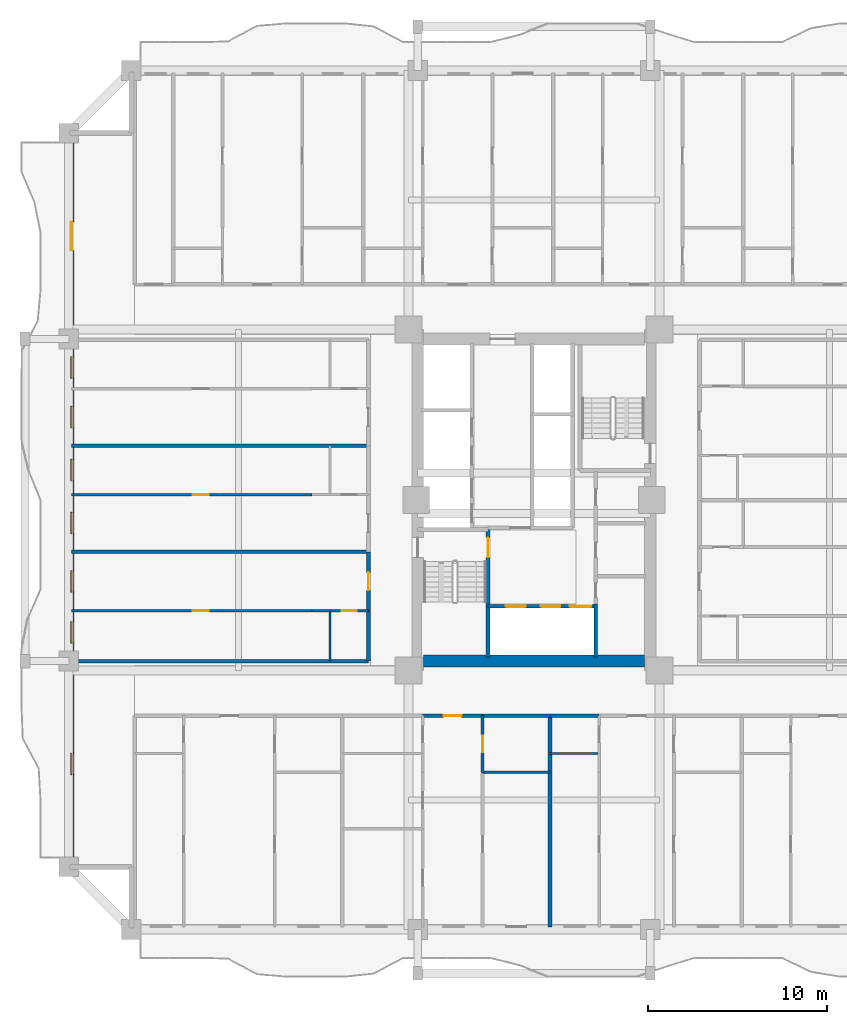
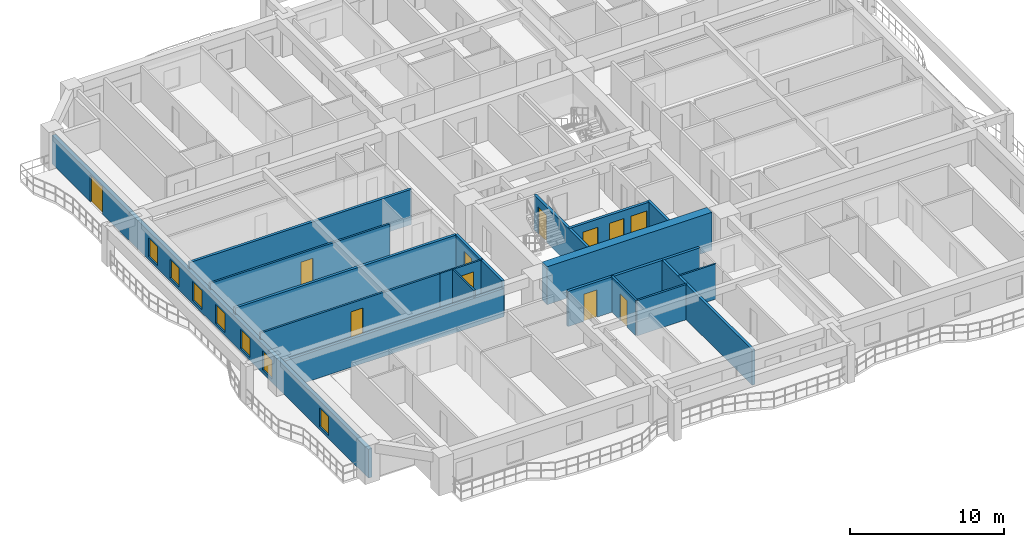
# One storey, part 3 of 16: 22 walls, 11 doors, 7 windows, 18 openings.
"""IFC4 building model written with IfcOpenShell, lengths in metres."""

from ifc_helpers import new_model, si_unit, direction, frame, frame_2d, origin, place, context, subcontext, project, spatial, rectangle, extrude, source, transform, mapped, material, layer, layer_set, type_object, element, fill, save


model = new_model("IFC4")

# Units and contexts
model_context = context("Model", 3, precision=1e-05, world=origin(), true_north=direction((0.0, 1.0)))
body_context = subcontext(model_context, "Body", "Model", "MODEL_VIEW")
ifc_project = project(units=[si_unit("LENGTHUNIT", "METRE"), si_unit("AREAUNIT", "SQUARE_METRE"), si_unit("VOLUMEUNIT", "CUBIC_METRE"), si_unit("PLANEANGLEUNIT", "RADIAN"), si_unit("MASSUNIT", "GRAM", prefix="KILO")], contexts=[model_context])

# Site, building, storey
site_placement = place(None, origin())
site = spatial("IfcSite", under=ifc_project, at=site_placement, CompositionType="ELEMENT")
building_placement = place(site_placement, origin())
building = spatial("IfcBuilding", under=site, at=building_placement, Name="Saelheon Loggia Tower", CompositionType="ELEMENT")
storey_placement = place(building_placement, frame((0.0, 0.0, 31.39990234375)))
storey = spatial("IfcBuildingStorey", under=building, at=storey_placement, Name="L09", CompositionType="ELEMENT", Elevation=31.39990234375)

# Wall
ifc_material_1 = material(Name="Concrete C60/75", Category="concrete")
ifc_layer_1 = layer(ifc_material_1, 0.64990234375)
ifc_layer_set_1 = layer_set([ifc_layer_1], Name="Concrete C60/75")
wall_type_1 = type_object("IfcWallType", Name="Wall_CoreShear_650", PredefinedType="SHEAR", material=ifc_layer_set_1)
wall_1_placement = place(storey_placement, frame((31.824951171875, 18.0, 0.0), z_axis=(0.0, 0.0, 1.0), x_axis=(1.0, 0.0, 0.0)))
element("IfcWall", 1, at=wall_1_placement, inside=storey, type_object=wall_type_1, Name="L09 Core Shear Wall South", PredefinedType="SHEAR", context=body_context, shape_type="SweptSolid", body=[
    extrude(rectangle(XDim=12.35009765625, YDim=0.64990234375, at=frame_2d((6.175048828125, 0.0))), origin(), (0.0, 0.0, 1.0), 3.0),
])

# Wall, openings, windows, door
ifc_material_2 = material(Name="Architectural Precast Concrete C40/50", Category="concrete")
ifc_layer_2 = layer(ifc_material_2, 0.280029296875)
ifc_layer_set_2 = layer_set([ifc_layer_2], Name="Architectural Precast Concrete C40/50")
wall_type_2 = type_object("IfcWallType", Name="Wall_Ext_Loggia_280", PredefinedType="SOLIDWALL", material=ifc_layer_set_2)
wall_2_placement = place(storey_placement, frame((12.139892578125, 6.5, 0.0), z_axis=(0.0, 0.0, 1.0), x_axis=(0.0, 1.0, 0.0)))
wall_2 = element("IfcWall", 2, at=wall_2_placement, inside=storey, type_object=wall_type_2, Name="L09 West Loggia Inner Wall", PredefinedType="SOLIDWALL", context=body_context, shape_type="SweptSolid", body=[
    extrude(rectangle(XDim=41.0, YDim=0.280029296875, at=frame_2d((20.5, 0.0))), origin(), (0.0, 0.0, 1.0), 2.280029296875),
])
opening_1_placement = place(wall_2_placement, frame((5.14990234375, 0.0, 0.25)))
opening_1 = element("IfcOpeningElement", 3, at=opening_1_placement, cuts=wall_2, Name="Opening WN-03", PredefinedType="OPENING", context=body_context, shape_type="SweptSolid", body=[
    extrude(rectangle(XDim=1.199951171875, YDim=1.5, at=frame_2d((0.60009765625, 0.75))), frame((0.0, 0.152099609375, 0.0), z_axis=(0.0, -1.0, 0.0), x_axis=(1.0, 0.0, 0.0)), (0.0, 0.0, 1.0), 0.303955078125),
])
opening_2_placement = place(wall_2_placement, frame((12.498779296875, 0.0, 0.25)))
opening_2 = element("IfcOpeningElement", 4, at=opening_2_placement, cuts=wall_2, Name="Opening WN-03", PredefinedType="OPENING", context=body_context, shape_type="SweptSolid", body=[
    extrude(rectangle(XDim=1.199951171875, YDim=1.5, at=frame_2d((0.60009765625, 0.75))), frame((0.0, 0.152099609375, 0.0), z_axis=(0.0, -1.0, 0.0), x_axis=(1.0, 0.0, 0.0)), (0.0, 0.0, 1.0), 0.303955078125),
])
opening_3_placement = place(wall_2_placement, frame((15.355224609375, 0.0, 0.25)))
opening_3 = element("IfcOpeningElement", 5, at=opening_3_placement, cuts=wall_2, Name="Opening WN-03", PredefinedType="OPENING", context=body_context, shape_type="SweptSolid", body=[
    extrude(rectangle(XDim=1.199951171875, YDim=1.5, at=frame_2d((0.60009765625, 0.75))), frame((0.0, 0.152099609375, 0.0), z_axis=(0.0, -1.0, 0.0), x_axis=(1.0, 0.0, 0.0)), (0.0, 0.0, 1.0), 0.303955078125),
])
opening_4_placement = place(wall_2_placement, frame((18.602294921875, 0.0, 0.25)))
opening_4 = element("IfcOpeningElement", 6, at=opening_4_placement, cuts=wall_2, Name="Opening WN-03", PredefinedType="OPENING", context=body_context, shape_type="SweptSolid", body=[
    extrude(rectangle(XDim=1.199951171875, YDim=1.5, at=frame_2d((0.60009765625, 0.75))), frame((0.0, 0.152099609375, 0.0), z_axis=(0.0, -1.0, 0.0), x_axis=(1.0, 0.0, 0.0)), (0.0, 0.0, 1.0), 0.303955078125),
])
opening_5_placement = place(wall_2_placement, frame((21.564208984375, 0.0, 0.25)))
opening_5 = element("IfcOpeningElement", 7, at=opening_5_placement, cuts=wall_2, Name="Opening WN-03", PredefinedType="OPENING", context=body_context, shape_type="SweptSolid", body=[
    extrude(rectangle(XDim=1.199951171875, YDim=1.5, at=frame_2d((0.60009765625, 0.75))), frame((0.0, 0.152099609375, 0.0), z_axis=(0.0, -1.0, 0.0), x_axis=(1.0, 0.0, 0.0)), (0.0, 0.0, 1.0), 0.303955078125),
])
opening_6_placement = place(wall_2_placement, frame((24.52587890625, 0.0, 0.25)))
opening_6 = element("IfcOpeningElement", 8, at=opening_6_placement, cuts=wall_2, Name="Opening WN-03", PredefinedType="OPENING", context=body_context, shape_type="SweptSolid", body=[
    extrude(rectangle(XDim=1.199951171875, YDim=1.5, at=frame_2d((0.60009765625, 0.75))), frame((0.0, 0.152099609375, 0.0), z_axis=(0.0, -1.0, 0.0), x_axis=(1.0, 0.0, 0.0)), (0.0, 0.0, 1.0), 0.303955078125),
])
opening_7_placement = place(wall_2_placement, frame((27.317626953125, 0.0, 0.25)))
opening_7 = element("IfcOpeningElement", 9, at=opening_7_placement, cuts=wall_2, Name="Opening WN-03", PredefinedType="OPENING", context=body_context, shape_type="SweptSolid", body=[
    extrude(rectangle(XDim=1.199951171875, YDim=1.5, at=frame_2d((0.60009765625, 0.75))), frame((0.0, 0.152099609375, 0.0), z_axis=(0.0, -1.0, 0.0), x_axis=(1.0, 0.0, 0.0)), (0.0, 0.0, 1.0), 0.303955078125),
])
opening_8_placement = place(wall_2_placement, frame((34.449951171875, 0.0, 0.0)))
opening_8 = element("IfcOpeningElement", 10, at=opening_8_placement, cuts=wall_2, Name="Opening DLG-1", PredefinedType="OPENING", context=body_context, shape_type="SweptSolid", body=[
    extrude(rectangle(XDim=1.60009765625, YDim=2.14990234375, at=frame_2d((0.800048828125, 1.074951171875))), frame((0.0, 0.152099609375, 0.0), z_axis=(0.0, -1.0, 0.0), x_axis=(1.0, 0.0, 0.0)), (0.0, 0.0, 1.0), 0.303955078125),
])
ifc_material_3 = material(Name="Thermal-Break Aluminium and Triple Low-E Glass", Category="aluminium")
window_type = type_object("IfcWindowType", Name="Win_Bedroom_1200x1500", PartitioningType="SINGLE_PANEL", PredefinedType="WINDOW", material=ifc_material_3)
shared_shape_1 = source(origin(), body_context, "Body", "SweptSolid", [
    extrude(rectangle(XDim=1.199951171875, YDim=1.5, at=frame_2d((0.60009765625, 0.75))), frame((0.0, 0.030029296875, 0.0), z_axis=(0.0, -1.0, 0.0), x_axis=(1.0, 0.0, 0.0)), (0.0, 0.0, 1.0), 0.06005859375),
])
window_1_placement = place(opening_1_placement, origin())
window_1 = element("IfcWindow", 11, at=window_1_placement, inside=storey, type_object=window_type, Name="L09 W Dwelling Window 1", OverallHeight=1.5, OverallWidth=1.199951171875, PartitioningType="SINGLE_PANEL", PredefinedType="WINDOW", context=body_context, shape_type="MappedRepresentation", body=[
    mapped(shared_shape_1, transform((0.0, 0.0, 0.0), scale=1.0)),
])
fill(opening_1, window_1)
window_2_placement = place(opening_2_placement, origin())
window_2 = element("IfcWindow", 12, at=window_2_placement, inside=storey, type_object=window_type, Name="L09 W Dwelling Window 2", OverallHeight=1.5, OverallWidth=1.199951171875, PartitioningType="SINGLE_PANEL", PredefinedType="WINDOW", context=body_context, shape_type="MappedRepresentation", body=[
    mapped(shared_shape_1, transform((0.0, 0.0, 0.0), scale=1.0)),
])
fill(opening_2, window_2)
window_3_placement = place(opening_3_placement, origin())
window_3 = element("IfcWindow", 13, at=window_3_placement, inside=storey, type_object=window_type, Name="L09 W Dwelling Window 3", OverallHeight=1.5, OverallWidth=1.199951171875, PartitioningType="SINGLE_PANEL", PredefinedType="WINDOW", context=body_context, shape_type="MappedRepresentation", body=[
    mapped(shared_shape_1, transform((0.0, 0.0, 0.0), scale=1.0)),
])
fill(opening_3, window_3)
window_4_placement = place(opening_4_placement, origin())
window_4 = element("IfcWindow", 14, at=window_4_placement, inside=storey, type_object=window_type, Name="L09 W Dwelling Window 4", OverallHeight=1.5, OverallWidth=1.199951171875, PartitioningType="SINGLE_PANEL", PredefinedType="WINDOW", context=body_context, shape_type="MappedRepresentation", body=[
    mapped(shared_shape_1, transform((0.0, 0.0, 0.0), scale=1.0)),
])
fill(opening_4, window_4)
window_5_placement = place(opening_5_placement, origin())
window_5 = element("IfcWindow", 15, at=window_5_placement, inside=storey, type_object=window_type, Name="L09 W Dwelling Window 5", OverallHeight=1.5, OverallWidth=1.199951171875, PartitioningType="SINGLE_PANEL", PredefinedType="WINDOW", context=body_context, shape_type="MappedRepresentation", body=[
    mapped(shared_shape_1, transform((0.0, 0.0, 0.0), scale=1.0)),
])
fill(opening_5, window_5)
window_6_placement = place(opening_6_placement, origin())
window_6 = element("IfcWindow", 16, at=window_6_placement, inside=storey, type_object=window_type, Name="L09 W Dwelling Window 6", OverallHeight=1.5, OverallWidth=1.199951171875, PartitioningType="SINGLE_PANEL", PredefinedType="WINDOW", context=body_context, shape_type="MappedRepresentation", body=[
    mapped(shared_shape_1, transform((0.0, 0.0, 0.0), scale=1.0)),
])
fill(opening_6, window_6)
window_7_placement = place(opening_7_placement, origin())
window_7 = element("IfcWindow", 17, at=window_7_placement, inside=storey, type_object=window_type, Name="L09 W Dwelling Window 7", OverallHeight=1.5, OverallWidth=1.199951171875, PartitioningType="SINGLE_PANEL", PredefinedType="WINDOW", context=body_context, shape_type="MappedRepresentation", body=[
    mapped(shared_shape_1, transform((0.0, 0.0, 0.0), scale=1.0)),
])
fill(opening_7, window_7)
ifc_material_4 = material(Name="Thermal-Break Aluminium Sliding Glazed Door", Category="aluminium")
door_type_1 = type_object("IfcDoorType", Name="Door_LoggiaSlide_1600", OperationType="SLIDING_TO_LEFT", PredefinedType="DOOR", material=ifc_material_4)
shared_shape_2 = source(origin(), body_context, "Body", "SweptSolid", [
    extrude(rectangle(XDim=1.60009765625, YDim=2.14990234375, at=frame_2d((0.800048828125, 1.074951171875))), frame((0.0, 0.02490234375, 0.0), z_axis=(0.0, -1.0, 0.0), x_axis=(1.0, 0.0, 0.0)), (0.0, 0.0, 1.0), 0.050048828125),
])
door_1_placement = place(opening_8_placement, origin())
door_1 = element("IfcDoor", 18, at=door_1_placement, inside=storey, type_object=door_type_1, Name="L09 W Loggia Access Door", OperationType="SLIDING_TO_LEFT", OverallHeight=2.14990234375, OverallWidth=1.60009765625, PredefinedType="DOOR", context=body_context, shape_type="MappedRepresentation", body=[
    mapped(shared_shape_2, transform((0.0, 0.0, 0.0), scale=1.0)),
])
fill(opening_8, door_1)

# Wall
ifc_material_5 = material(Name="Lightweight Autoclaved Aerated Concrete Block and Acoustic Gypsum", Category="concrete")
ifc_layer_3 = layer(ifc_material_5, 0.14990234375)
ifc_layer_set_3 = layer_set([ifc_layer_3], Name="Lightweight Autoclaved Aerated Concrete Block and Acoustic Gypsum")
wall_type_3 = type_object("IfcWallType", Name="Wall_Part_150", PredefinedType="PARTITIONING", material=ifc_layer_set_3)
wall_3_placement = place(storey_placement, frame((35.126953125, 11.780029296875, 0.0), z_axis=(0.0, 0.0, 1.0), x_axis=(1.0, 0.0, 0.0)))
element("IfcWall", 19, at=wall_3_placement, inside=storey, type_object=wall_type_3, Name="L09 S Partition V18", PredefinedType="PARTITIONING", context=body_context, shape_type="SweptSolid", body=[
    extrude(rectangle(XDim=3.765869140625, YDim=0.14990234375, at=frame_2d((1.8828125, 0.0))), origin(), (0.0, 0.0, 1.0), 2.7900390625),
])

# Wall, opening, door
wall_4_placement = place(storey_placement, frame((35.126953125, 14.949951171875, 0.0), z_axis=(0.0, 0.0, 1.0), x_axis=(0.0, -1.0, 0.0)))
wall_4 = element("IfcWall", 20, at=wall_4_placement, inside=storey, type_object=wall_type_3, Name="L09 S Partition U24", PredefinedType="PARTITIONING", context=body_context, shape_type="SweptSolid", body=[
    extrude(rectangle(XDim=3.169921875, YDim=0.14990234375, at=frame_2d((1.5849609375, 0.0))), origin(), (0.0, 0.0, 1.0), 2.7900390625),
])
opening_9_placement = place(wall_4_placement, frame((1.135009765625, 0.0, 0.0)))
opening_9 = element("IfcOpeningElement", 21, at=opening_9_placement, cuts=wall_4, Name="Opening D-IN2", PredefinedType="OPENING", context=body_context, shape_type="SweptSolid", body=[
    extrude(rectangle(XDim=0.89990234375, YDim=2.10009765625, at=frame_2d((0.449951171875, 1.050048828125))), frame((0.0, 0.0869140625, 0.0), z_axis=(0.0, -1.0, 0.0), x_axis=(1.0, 0.0, 0.0)), (0.0, 0.0, 1.0), 0.173828125),
])
ifc_material_6 = material(Name="Engineered Oak Flush Door", Category="timber")
door_type_2 = type_object("IfcDoorType", Name="Door_Int_900", OperationType="NOTDEFINED", PredefinedType="DOOR", material=ifc_material_6)
shared_shape_3 = source(origin(), body_context, "Body", "SweptSolid", [
    extrude(rectangle(XDim=0.89990234375, YDim=2.10009765625, at=frame_2d((0.449951171875, 1.050048828125))), frame((0.0, 0.02490234375, 0.0), z_axis=(0.0, -1.0, 0.0), x_axis=(1.0, 0.0, 0.0)), (0.0, 0.0, 1.0), 0.050048828125),
])
door_2_placement = place(opening_9_placement, origin())
door_2 = element("IfcDoor", 22, at=door_2_placement, inside=storey, type_object=door_type_2, Name="Unit U02 Home Office Door", OperationType="SINGLE_SWING_RIGHT", OverallHeight=2.10009765625, OverallWidth=0.89990234375, PredefinedType="DOOR", context=body_context, shape_type="MappedRepresentation", body=[
    mapped(shared_shape_3, transform((0.0, 0.0, 0.0), scale=1.0)),
])
fill(opening_9, door_2)

wall_5_placement = place(storey_placement, frame((25.580078125, 20.807373046875, 0.0), z_axis=(0.0, 0.0, 1.0), x_axis=(-1.0, 0.0, 0.0)))
wall_5 = element("IfcWall", 23, at=wall_5_placement, inside=storey, type_object=wall_type_3, Name="L09 W Partition U08", PredefinedType="PARTITIONING", context=body_context, shape_type="SweptSolid", body=[
    extrude(rectangle(XDim=13.43017578125, YDim=0.14990234375, at=frame_2d((6.715087890625, 0.0))), origin(), (0.0, 0.0, 1.0), 2.7900390625),
])
opening_10_placement = place(wall_5_placement, frame((5.762939453125, 0.0, 0.0)))
opening_10 = element("IfcOpeningElement", 24, at=opening_10_placement, cuts=wall_5, Name="Opening D-IN2", PredefinedType="OPENING", context=body_context, shape_type="SweptSolid", body=[
    extrude(rectangle(XDim=0.89990234375, YDim=2.10009765625, at=frame_2d((0.449951171875, 1.050048828125))), frame((0.0, 0.0869140625, 0.0), z_axis=(0.0, -1.0, 0.0), x_axis=(1.0, 0.0, 0.0)), (0.0, 0.0, 1.0), 0.173828125),
])
door_3_placement = place(opening_10_placement, origin())
door_3 = element("IfcDoor", 25, at=door_3_placement, inside=storey, type_object=door_type_2, Name="Unit U09 Kitchen Door", OperationType="SINGLE_SWING_LEFT", OverallHeight=2.10009765625, OverallWidth=0.89990234375, PredefinedType="DOOR", context=body_context, shape_type="MappedRepresentation", body=[
    mapped(shared_shape_3, transform((0.0, 0.0, 0.0), scale=1.0)),
])
fill(opening_10, door_3)

wall_6_placement = place(storey_placement, frame((25.580078125, 27.3017578125, 0.0), z_axis=(0.0, 0.0, 1.0), x_axis=(-1.0, 0.0, 0.0)))
wall_6 = element("IfcWall", 26, at=wall_6_placement, inside=storey, type_object=wall_type_3, Name="L09 W Partition U15", PredefinedType="PARTITIONING", context=body_context, shape_type="SweptSolid", body=[
    extrude(rectangle(XDim=13.43017578125, YDim=0.14990234375, at=frame_2d((6.715087890625, 0.0))), origin(), (0.0, 0.0, 1.0), 2.7900390625),
])
opening_11_placement = place(wall_6_placement, frame((5.762939453125, 0.0, 0.0)))
opening_11 = element("IfcOpeningElement", 27, at=opening_11_placement, cuts=wall_6, Name="Opening D-IN2", PredefinedType="OPENING", context=body_context, shape_type="SweptSolid", body=[
    extrude(rectangle(XDim=0.89990234375, YDim=2.10009765625, at=frame_2d((0.449951171875, 1.050048828125))), frame((0.0, 0.0869140625, 0.0), z_axis=(0.0, -1.0, 0.0), x_axis=(1.0, 0.0, 0.0)), (0.0, 0.0, 1.0), 0.173828125),
])
door_4_placement = place(opening_11_placement, origin())
door_4 = element("IfcDoor", 28, at=door_4_placement, inside=storey, type_object=door_type_2, Name="Unit U10 Kitchen Door", OperationType="SINGLE_SWING_RIGHT", OverallHeight=2.10009765625, OverallWidth=0.89990234375, PredefinedType="DOOR", context=body_context, shape_type="MappedRepresentation", body=[
    mapped(shared_shape_3, transform((0.0, 0.0, 0.0), scale=1.0)),
])
fill(opening_11, door_4)

ifc_material_7 = material(Name="Double Acoustic Stud and Fireboard Partition", Category="gypsum")
ifc_layer_4 = layer(ifc_material_7, 0.199951171875)
ifc_layer_set_4 = layer_set([ifc_layer_4], Name="Double Acoustic Stud and Fireboard Partition")
wall_type_4 = type_object("IfcWallType", Name="Wall_Party_200", PredefinedType="PARTITIONING", material=ifc_layer_set_4)
wall_7_placement = place(storey_placement, frame((31.780029296875, 14.949951171875, 0.0), z_axis=(0.0, 0.0, 1.0), x_axis=(1.0, 0.0, 0.0)))
wall_7 = element("IfcWall", 29, at=wall_7_placement, inside=storey, type_object=wall_type_4, Name="L09 S Partition V15", PredefinedType="PARTITIONING", context=body_context, shape_type="SweptSolid", body=[
    extrude(rectangle(XDim=3.346923828125, YDim=0.199951171875, at=frame_2d((1.67333984375, 0.0))), origin(), (0.0, 0.0, 1.0), 2.7900390625),
])
opening_12_placement = place(wall_7_placement, frame((1.17333984375, 0.0, 0.0)))
opening_12 = element("IfcOpeningElement", 30, at=opening_12_placement, cuts=wall_7, Name="Opening D-FD1", PredefinedType="OPENING", context=body_context, shape_type="SweptSolid", body=[
    extrude(rectangle(XDim=1.0, YDim=2.14990234375, at=frame_2d((0.5, 1.074951171875))), frame((0.0, 0.112060546875, 0.0), z_axis=(0.0, -1.0, 0.0), x_axis=(1.0, 0.0, 0.0)), (0.0, 0.0, 1.0), 0.223876953125),
])
ifc_material_8 = material(Name="Fire-Rated Engineered Timber Entrance Door", Category="wood")
door_type_3 = type_object("IfcDoorType", Name="Door_Flat_FD30S", OperationType="NOTDEFINED", PredefinedType="DOOR", material=ifc_material_8)
shared_shape_4 = source(origin(), body_context, "Body", "SweptSolid", [
    extrude(rectangle(XDim=1.0, YDim=2.14990234375, at=frame_2d((0.5, 1.074951171875))), frame((0.0, 0.02490234375, 0.0), z_axis=(0.0, -1.0, 0.0), x_axis=(1.0, 0.0, 0.0)), (0.0, 0.0, 1.0), 0.050048828125),
])
door_5_placement = place(opening_12_placement, origin())
door_5 = element("IfcDoor", 31, at=door_5_placement, inside=storey, type_object=door_type_3, Name="Unit U02 Entrance Door", OperationType="SINGLE_SWING_RIGHT", OverallHeight=2.14990234375, OverallWidth=1.0, PredefinedType="DOOR", context=body_context, shape_type="MappedRepresentation", body=[
    mapped(shared_shape_4, transform((0.0, 0.0, 0.0), scale=1.0)),
])
fill(opening_12, door_5)

# Walls
wall_8_placement = place(storey_placement, frame((35.126953125, 14.949951171875, 0.0), z_axis=(0.0, 0.0, 1.0), x_axis=(1.0, 0.0, 0.0)))
element("IfcWall", 32, at=wall_8_placement, inside=storey, type_object=wall_type_4, Name="L09 S Partition V16", PredefinedType="PARTITIONING", context=body_context, shape_type="SweptSolid", body=[
    extrude(rectangle(XDim=3.765869140625, YDim=0.199951171875, at=frame_2d((1.8828125, 0.0))), origin(), (0.0, 0.0, 1.0), 2.7900390625),
])
wall_9_placement = place(storey_placement, frame((38.892822265625, 14.949951171875, 0.0), z_axis=(0.0, 0.0, 1.0), x_axis=(0.0, -1.0, 0.0)))
element("IfcWall", 33, at=wall_9_placement, inside=storey, type_object=wall_type_4, Name="L09 S Partition U26", PredefinedType="PARTITIONING", context=body_context, shape_type="SweptSolid", body=[
    extrude(rectangle(XDim=11.800048828125, YDim=0.199951171875, at=frame_2d((5.89990234375, 0.0))), origin(), (0.0, 0.0, 1.0), 2.7900390625),
])
wall_10_placement = place(storey_placement, frame((38.892822265625, 14.949951171875, 0.0), z_axis=(0.0, 0.0, 1.0), x_axis=(1.0, 0.0, 0.0)))
element("IfcWall", 34, at=wall_10_placement, inside=storey, type_object=wall_type_4, Name="L09 S Partition V27", PredefinedType="PARTITIONING", context=body_context, shape_type="SweptSolid", body=[
    extrude(rectangle(XDim=2.75, YDim=0.199951171875, at=frame_2d((1.375, 0.0))), origin(), (0.0, 0.0, 1.0), 2.7900390625),
])
wall_11_placement = place(storey_placement, frame((28.75, 18.0, 0.0), z_axis=(0.0, 0.0, 1.0), x_axis=(-1.0, 0.0, 0.0)))
element("IfcWall", 35, at=wall_11_placement, inside=storey, type_object=wall_type_4, Name="L09 W Partition U01", PredefinedType="PARTITIONING", context=body_context, shape_type="SweptSolid", body=[
    extrude(rectangle(XDim=16.60009765625, YDim=0.199951171875, at=frame_2d((8.300048828125, 0.0))), origin(), (0.0, 0.0, 1.0), 2.239990234375),
])
wall_12_placement = place(storey_placement, frame((28.75, 18.0, 0.0), z_axis=(0.0, 0.0, 1.0), x_axis=(0.0, 1.0, 0.0)))
element("IfcWall", 36, at=wall_12_placement, inside=storey, type_object=wall_type_4, Name="L09 W Partition V03", PredefinedType="PARTITIONING", context=body_context, shape_type="SweptSolid", body=[
    extrude(rectangle(XDim=2.807373046875, YDim=0.199951171875, at=frame_2d((1.40380859375, 0.0))), origin(), (0.0, 0.0, 1.0), 2.7900390625),
])

# Wall, opening, door
wall_13_placement = place(storey_placement, frame((28.75, 20.807373046875, 0.0), z_axis=(0.0, 0.0, 1.0), x_axis=(0.0, 1.0, 0.0)))
wall_13 = element("IfcWall", 37, at=wall_13_placement, inside=storey, type_object=wall_type_4, Name="L09 W Partition V04", PredefinedType="PARTITIONING", context=body_context, shape_type="SweptSolid", body=[
    extrude(rectangle(XDim=3.295654296875, YDim=0.199951171875, at=frame_2d((1.64794921875, 0.0))), origin(), (0.0, 0.0, 1.0), 2.7900390625),
])
opening_13_placement = place(wall_13_placement, frame((1.147705078125, 0.0, 0.0)))
opening_13 = element("IfcOpeningElement", 38, at=opening_13_placement, cuts=wall_13, Name="Opening D-FD1", PredefinedType="OPENING", context=body_context, shape_type="SweptSolid", body=[
    extrude(rectangle(XDim=1.0, YDim=2.14990234375, at=frame_2d((0.5, 1.074951171875))), frame((0.0, 0.112060546875, 0.0), z_axis=(0.0, -1.0, 0.0), x_axis=(1.0, 0.0, 0.0)), (0.0, 0.0, 1.0), 0.223876953125),
])
door_6_placement = place(opening_13_placement, origin())
door_6 = element("IfcDoor", 39, at=door_6_placement, inside=storey, type_object=door_type_3, Name="Unit U09 Entrance Door", OperationType="SINGLE_SWING_LEFT", OverallHeight=2.14990234375, OverallWidth=1.0, PredefinedType="DOOR", context=body_context, shape_type="MappedRepresentation", body=[
    mapped(shared_shape_4, transform((0.0, 0.0, 0.0), scale=1.0)),
])
fill(opening_13, door_6)

# Walls
for number, where, z_axis, x_axis, name in (
    (40, (28.75, 24.10302734375, 0.0), (0.0, 0.0, 1.0), (-1.0, 0.0, 0.0), "L09 W Partition U09"),
    (41, (28.75, 30.026611328125, 0.0), (0.0, 0.0, 1.0), (-1.0, 0.0, 0.0), "L09 W Partition U16"),
):
    element("IfcWall", number, at=place(storey_placement, frame(where, z_axis=z_axis, x_axis=x_axis)), inside=storey, type_object=wall_type_4, Name=name, PredefinedType="PARTITIONING", context=body_context, shape_type="SweptSolid", body=[
        extrude(rectangle(XDim=16.60009765625, YDim=0.199951171875, at=frame_2d((8.300048828125, 0.0))), origin(), (0.0, 0.0, 1.0), 2.7900390625),
    ])
ifc_material_9 = material(Name="Concrete C40/50", Category="concrete")
ifc_layer_5 = layer(ifc_material_9, 0.199951171875)
ifc_layer_set_5 = layer_set([ifc_layer_5], Name="Concrete C40/50")
wall_type_5 = type_object("IfcWallType", Name="Wall_Shaft_200", PredefinedType="PARTITIONING", material=ifc_layer_set_5)
wall_14_placement = place(storey_placement, frame((41.449951171875, 18.219970703125, 0.0), z_axis=(0.0, 0.0, 1.0), x_axis=(0.0, 1.0, 0.0)))
element("IfcWall", 42, at=wall_14_placement, inside=storey, type_object=wall_type_5, Name="CW-INT-L09-BOH-W0", PredefinedType="PARTITIONING", context=body_context, shape_type="SweptSolid", body=[
    extrude(rectangle(XDim=2.9599609375, YDim=0.199951171875, at=frame_2d((1.47998046875, 0.0))), origin(), (0.0, 0.0, 1.0), 2.7900390625),
])

# Wall, openings, doors
wall_15_placement = place(storey_placement, frame((35.429931640625, 21.06005859375, 0.0), z_axis=(0.0, 0.0, 1.0), x_axis=(1.0, 0.0, 0.0)))
wall_15 = element("IfcWall", 43, at=wall_15_placement, inside=storey, type_object=wall_type_5, Name="L09 Firefighting Lift Shaft Front Wall", PredefinedType="PARTITIONING", context=body_context, shape_type="SweptSolid", body=[
    extrude(rectangle(XDim=6.02001953125, YDim=0.199951171875, at=frame_2d((3.010009765625, 0.0))), origin(), (0.0, 0.0, 1.0), 2.7900390625),
])
opening_14_placement = place(wall_15_placement, frame((1.0, 0.0, 0.0)))
opening_14 = element("IfcOpeningElement", 44, at=opening_14_placement, cuts=wall_15, Name="Opening LD2", PredefinedType="OPENING", context=body_context, shape_type="SweptSolid", body=[
    extrude(rectangle(XDim=1.10009765625, YDim=2.14990234375, at=frame_2d((0.550048828125, 1.074951171875))), frame((0.0, 0.112060546875, 0.0), z_axis=(0.0, -1.0, 0.0), x_axis=(1.0, 0.0, 0.0)), (0.0, 0.0, 1.0), 0.223876953125),
])
opening_15_placement = place(wall_15_placement, frame((2.949951171875, 0.0, 0.0)))
opening_15 = element("IfcOpeningElement", 45, at=opening_15_placement, cuts=wall_15, Name="Opening LD2", PredefinedType="OPENING", context=body_context, shape_type="SweptSolid", body=[
    extrude(rectangle(XDim=1.10009765625, YDim=2.14990234375, at=frame_2d((0.550048828125, 1.074951171875))), frame((0.0, 0.112060546875, 0.0), z_axis=(0.0, -1.0, 0.0), x_axis=(1.0, 0.0, 0.0)), (0.0, 0.0, 1.0), 0.223876953125),
])
opening_16_placement = place(wall_15_placement, frame((4.580078125, 0.0, 0.0)))
opening_16 = element("IfcOpeningElement", 46, at=opening_16_placement, cuts=wall_15, Name="Opening LD3", PredefinedType="OPENING", context=body_context, shape_type="SweptSolid", body=[
    extrude(rectangle(XDim=1.199951171875, YDim=2.14990234375, at=frame_2d((0.60009765625, 1.074951171875))), frame((0.0, 0.112060546875, 0.0), z_axis=(0.0, -1.0, 0.0), x_axis=(1.0, 0.0, 0.0)), (0.0, 0.0, 1.0), 0.223876953125),
])
ifc_material_10 = material(Name="Firefighting Stainless Steel 316 Landing Door", Category="steel")
door_type_4 = type_object("IfcDoorType", Name="Door_Lift_LD2", OperationType="DOUBLE_DOOR_SLIDING", PredefinedType="DOOR", material=ifc_material_10)
shared_shape_5 = source(origin(), body_context, "Body", "SweptSolid", [
    extrude(rectangle(XDim=1.10009765625, YDim=2.14990234375, at=frame_2d((0.550048828125, 1.074951171875))), frame((0.0, 0.02490234375, 0.0), z_axis=(0.0, -1.0, 0.0), x_axis=(1.0, 0.0, 0.0)), (0.0, 0.0, 1.0), 0.050048828125),
])
door_7_placement = place(opening_14_placement, origin())
door_7 = element("IfcDoor", 47, at=door_7_placement, inside=storey, type_object=door_type_4, Name="L09 FF1 Landing Door", OperationType="DOUBLE_DOOR_SLIDING", OverallHeight=2.14990234375, OverallWidth=1.10009765625, PredefinedType="DOOR", context=body_context, shape_type="MappedRepresentation", body=[
    mapped(shared_shape_5, transform((0.0, 0.0, 0.0), scale=1.0)),
])
fill(opening_14, door_7)
door_8_placement = place(opening_15_placement, origin())
door_8 = element("IfcDoor", 48, at=door_8_placement, inside=storey, type_object=door_type_4, Name="L09 FF2 Landing Door", OperationType="DOUBLE_DOOR_SLIDING", OverallHeight=2.14990234375, OverallWidth=1.10009765625, PredefinedType="DOOR", context=body_context, shape_type="MappedRepresentation", body=[
    mapped(shared_shape_5, transform((0.0, 0.0, 0.0), scale=1.0)),
])
fill(opening_15, door_8)
ifc_material_11 = material(Name="Stretcher Lift Stainless Steel 304 Landing Door", Category="steel")
door_type_5 = type_object("IfcDoorType", Name="Door_Lift_LD3", OperationType="DOUBLE_DOOR_SLIDING", PredefinedType="DOOR", material=ifc_material_11)
shared_shape_6 = source(origin(), body_context, "Body", "SweptSolid", [
    extrude(rectangle(XDim=1.199951171875, YDim=2.14990234375, at=frame_2d((0.60009765625, 1.074951171875))), frame((0.0, 0.02490234375, 0.0), z_axis=(0.0, -1.0, 0.0), x_axis=(1.0, 0.0, 0.0)), (0.0, 0.0, 1.0), 0.050048828125),
])
door_9_placement = place(opening_16_placement, origin())
door_9 = element("IfcDoor", 49, at=door_9_placement, inside=storey, type_object=door_type_5, Name="L09 SV1 Landing Door", OperationType="DOUBLE_DOOR_SLIDING", OverallHeight=2.14990234375, OverallWidth=1.199951171875, PredefinedType="DOOR", context=body_context, shape_type="MappedRepresentation", body=[
    mapped(shared_shape_6, transform((0.0, 0.0, 0.0), scale=1.0)),
])
fill(opening_16, door_9)

# Wall, opening, door
ifc_material_12 = material(Name="Concrete C45/55", Category="concrete")
ifc_layer_6 = layer(ifc_material_12, 0.199951171875)
ifc_layer_set_6 = layer_set([ifc_layer_6], Name="Concrete C45/55")
wall_type_6 = type_object("IfcWallType", Name="Wall_StairShaft_RC200", PredefinedType="SOLIDWALL", material=ifc_layer_set_6)
wall_16_placement = place(storey_placement, frame((35.429931640625, 18.219970703125, 0.0), z_axis=(0.0, 0.0, 1.0), x_axis=(0.0, 1.0, 0.0)))
wall_16 = element("IfcWall", 50, at=wall_16_placement, inside=storey, type_object=wall_type_6, Name="L09 Stair ST1 Shaft Wall", PredefinedType="SOLIDWALL", context=body_context, shape_type="SweptSolid", body=[
    extrude(rectangle(XDim=7.219970703125, YDim=0.199951171875, at=frame_2d((3.60986328125, 0.0))), origin(), (0.0, 0.0, 1.0), 2.7900390625),
])
opening_17_placement = place(wall_16_placement, frame((6.68017578125, 0.0, 0.0), z_axis=(0.0, 0.0, 1.0), x_axis=(-1.0, 0.0, 0.0)))
opening_17 = element("IfcOpeningElement", 51, at=opening_17_placement, cuts=wall_16, Name="Opening D-FD2", PredefinedType="OPENING", context=body_context, shape_type="SweptSolid", body=[
    extrude(rectangle(XDim=1.10009765625, YDim=2.14990234375, at=frame_2d((0.550048828125, 1.074951171875))), frame((0.0, 0.112060546875, 0.0), z_axis=(0.0, -1.0, 0.0), x_axis=(1.0, 0.0, 0.0)), (0.0, 0.0, 1.0), 0.223876953125),
])
ifc_material_13 = material(Name="Galvanised Steel Fire Door", Category="steel")
door_type_6 = type_object("IfcDoorType", Name="Door_Fire_FD60_1100", OperationType="NOTDEFINED", PredefinedType="DOOR", material=ifc_material_13)
door_10_placement = place(opening_17_placement, origin())
door_10 = element("IfcDoor", 52, at=door_10_placement, inside=storey, type_object=door_type_6, Name="L09 Stair ST1 Lobby Door", OperationType="SINGLE_SWING_RIGHT", OverallHeight=2.14990234375, OverallWidth=1.10009765625, PredefinedType="DOOR", context=body_context, shape_type="MappedRepresentation", body=[
    mapped(shared_shape_5, transform((0.0, 0.0, 0.0), scale=1.0)),
])
fill(opening_17, door_10)

# Wall
ifc_material_14 = material(Name="Moisture-Resistant Cement Board Partition", Category="gypsum")
ifc_layer_7 = layer(ifc_material_14, 0.1201171875)
ifc_layer_set_7 = layer_set([ifc_layer_7], Name="Moisture-Resistant Cement Board Partition")
wall_type_7 = type_object("IfcWallType", Name="Wall_WetPart_120", PredefinedType="PARTITIONING", material=ifc_layer_set_7)
wall_17_placement = place(storey_placement, frame((38.892822265625, 12.830078125, 0.0), z_axis=(0.0, 0.0, 1.0), x_axis=(1.0, 0.0, 0.0)))
element("IfcWall", 53, at=wall_17_placement, inside=storey, type_object=wall_type_7, Name="L09 S Partition V30", PredefinedType="PARTITIONING", context=body_context, shape_type="SweptSolid", body=[
    extrude(rectangle(XDim=2.75, YDim=0.1201171875, at=frame_2d((1.375, 0.0))), origin(), (0.0, 0.0, 1.0), 2.7900390625),
])

# Wall, opening, door
wall_18_placement = place(storey_placement, frame((28.75, 20.807373046875, 0.0), z_axis=(0.0, 0.0, 1.0), x_axis=(-1.0, 0.0, 0.0)))
wall_18 = element("IfcWall", 54, at=wall_18_placement, inside=storey, type_object=wall_type_7, Name="L09 W Partition U05", PredefinedType="PARTITIONING", context=body_context, shape_type="SweptSolid", body=[
    extrude(rectangle(XDim=2.14990234375, YDim=0.1201171875, at=frame_2d((1.074951171875, 0.0))), origin(), (0.0, 0.0, 1.0), 2.7900390625),
])
opening_18_placement = place(wall_18_placement, frame((0.64990234375, 0.0, 0.0)))
opening_18 = element("IfcOpeningElement", 55, at=opening_18_placement, cuts=wall_18, Name="Opening D-BT1", PredefinedType="OPENING", context=body_context, shape_type="SweptSolid", body=[
    extrude(rectangle(XDim=0.85009765625, YDim=2.050048828125, at=frame_2d((0.425048828125, 1.02490234375))), frame((0.0, 0.072021484375, 0.0), z_axis=(0.0, -1.0, 0.0), x_axis=(1.0, 0.0, 0.0)), (0.0, 0.0, 1.0), 0.14404296875),
])
ifc_material_15 = material(Name="Moisture-Resistant Laminate Timber Door", Category="wood")
door_type_7 = type_object("IfcDoorType", Name="Door_Bath_850", OperationType="NOTDEFINED", PredefinedType="DOOR", material=ifc_material_15)
shared_shape_7 = source(origin(), body_context, "Body", "SweptSolid", [
    extrude(rectangle(XDim=0.85009765625, YDim=2.050048828125, at=frame_2d((0.425048828125, 1.02490234375))), frame((0.0, 0.02490234375, 0.0), z_axis=(0.0, -1.0, 0.0), x_axis=(1.0, 0.0, 0.0)), (0.0, 0.0, 1.0), 0.050048828125),
])
door_11_placement = place(opening_18_placement, origin())
door_11 = element("IfcDoor", 56, at=door_11_placement, inside=storey, type_object=door_type_7, Name="Unit U09 Bathroom Door", OperationType="SINGLE_SWING_RIGHT", OverallHeight=2.050048828125, OverallWidth=0.85009765625, PredefinedType="DOOR", context=body_context, shape_type="MappedRepresentation", body=[
    mapped(shared_shape_7, transform((0.0, 0.0, 0.0), scale=1.0)),
])
fill(opening_18, door_11)

# Walls
wall_19_placement = place(storey_placement, frame((26.60009765625, 20.807373046875, 0.0), z_axis=(0.0, 0.0, 1.0), x_axis=(-1.0, 0.0, 0.0)))
element("IfcWall", 57, at=wall_19_placement, inside=storey, type_object=wall_type_7, Name="L09 W Partition U06", PredefinedType="PARTITIONING", context=body_context, shape_type="SweptSolid", body=[
    extrude(rectangle(XDim=1.02001953125, YDim=0.1201171875, at=frame_2d((0.510009765625, 0.0))), origin(), (0.0, 0.0, 1.0), 2.7900390625),
])
wall_20_placement = place(storey_placement, frame((26.60009765625, 18.0, 0.0), z_axis=(0.0, 0.0, 1.0), x_axis=(0.0, 1.0, 0.0)))
element("IfcWall", 58, at=wall_20_placement, inside=storey, type_object=wall_type_7, Name="L09 W Partition V07", PredefinedType="PARTITIONING", context=body_context, shape_type="SweptSolid", body=[
    extrude(rectangle(XDim=2.807373046875, YDim=0.1201171875, at=frame_2d((1.40380859375, 0.0))), origin(), (0.0, 0.0, 1.0), 2.7900390625),
])

save(model, "model.ifc")
